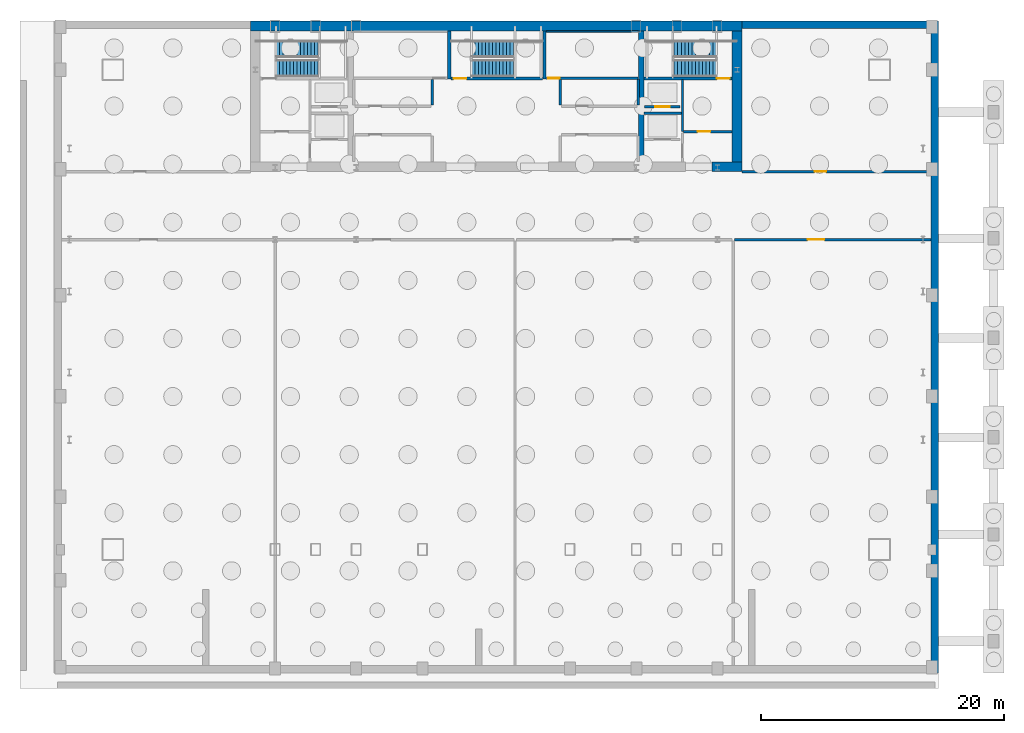
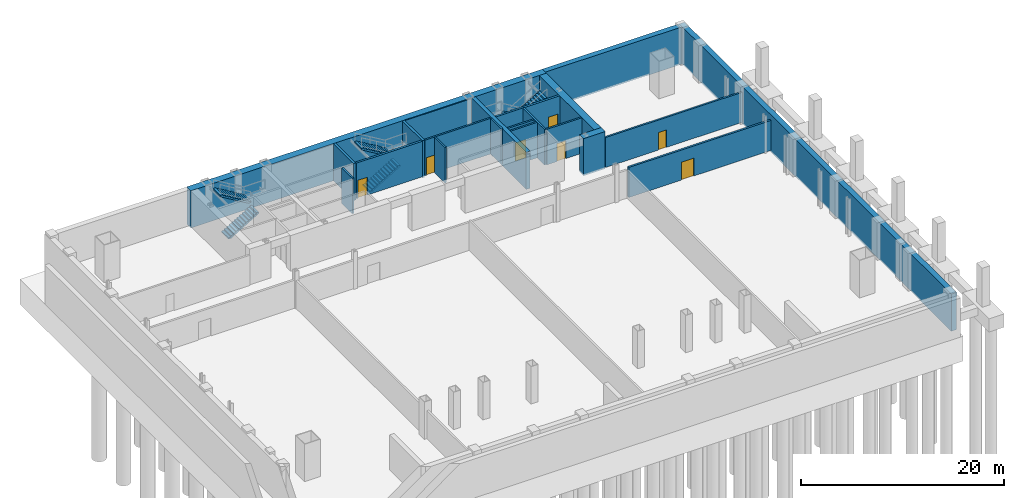
# One storey, part 9 of 11: 21 walls, 7 doors, 6 stair flights, 7 openings, 3 elements without a shape of their own.
"""IFC4 building model written with IfcOpenShell, lengths in metres."""

from ifc_helpers import new_model, si_unit, direction, frame, frame_2d, origin, place, context, subcontext, project, spatial, polyline, rectangle, outline, extrude, material, layer, layer_set, type_object, element, fill, aggregate, save


model = new_model("IFC4")

# Units and contexts
model_context = context("Model", 3, precision=1e-05, world=origin(), true_north=direction((0.0, 1.0)))
body_context = subcontext(model_context, "Body", "Model", "MODEL_VIEW")
ifc_project = project(units=[si_unit("LENGTHUNIT", "METRE"), si_unit("AREAUNIT", "SQUARE_METRE"), si_unit("VOLUMEUNIT", "CUBIC_METRE"), si_unit("PLANEANGLEUNIT", "RADIAN"), si_unit("MASSUNIT", "GRAM", prefix="KILO")], contexts=[model_context])

# Site, building, storey
site_placement = place(None, origin())
site = spatial("IfcSite", under=ifc_project, at=site_placement, CompositionType="ELEMENT")
building_placement = place(site_placement, origin())
building = spatial("IfcBuilding", under=site, at=building_placement, Name="Khoronbel Lancet Exchange", CompositionType="ELEMENT")
storey_placement = place(building_placement, frame((0.0, 0.0, -9.0)))
storey = spatial("IfcBuildingStorey", under=building, at=storey_placement, Name="B2", CompositionType="ELEMENT", Elevation=-9.0)

# Walls
ifc_material_1 = material(Name="Concrete C80/95", Category="concrete")
ifc_layer_1 = layer(ifc_material_1, 0.800048828125, Name="Concrete C80/95")
ifc_layer_set_1 = layer_set([ifc_layer_1], Name="Concrete C80/95")
wall_type_1 = type_object("IfcWallType", Name="WL-CW1", PredefinedType="SHEAR", material=ifc_layer_set_1)
wall_1_placement = place(storey_placement, frame((16.199951171875, 53.300048828125, -0.199951171875), z_axis=(0.0, 0.0, 1.0), x_axis=(1.0, 0.0, 0.0)))
element("IfcWall", 1, at=wall_1_placement, inside=storey, type_object=wall_type_1, Name="Level B2 rear core north shear wall", PredefinedType="SHEAR", context=body_context, shape_type="SweptSolid", body=[
    extrude(rectangle(XDim=40.5, YDim=0.800048828125, at=frame_2d((20.25, 0.0))), origin(), (0.0, 0.0, 1.0), 4.47998046875),
])
wall_2_placement = place(storey_placement, frame((56.300048828125, 52.89990234375, -0.199951171875), z_axis=(0.0, 0.0, 1.0), x_axis=(0.0, -1.0, 0.0)))
element("IfcWall", 2, at=wall_2_placement, inside=storey, type_object=wall_type_1, Name="Level B2 rear core east shear wall", PredefinedType="SHEAR", context=body_context, shape_type="SweptSolid", body=[
    extrude(rectangle(XDim=10.7998046875, YDim=0.800048828125, at=frame_2d((5.39990234375, 0.0))), origin(), (0.0, 0.0, 1.0), 4.47998046875),
])
wall_3_placement = place(storey_placement, frame((56.699951171875, 41.699951171875, -0.199951171875), z_axis=(0.0, 0.0, 1.0), x_axis=(-1.0, 0.0, 0.0)))
element("IfcWall", 3, at=wall_3_placement, inside=storey, type_object=wall_type_1, Name="Level B2 rear core south shear wall pier P5", PredefinedType="SHEAR", context=body_context, shape_type="SweptSolid", body=[
    extrude(rectangle(XDim=2.449951171875, YDim=0.800048828125, at=frame_2d((1.22509765625, 0.0))), origin(), (0.0, 0.0, 1.0), 4.47998046875),
])
ifc_material_2 = material(Name="Fire-Rated Metal-Stud & Mineral-Wool Gypsum Partition 120 mm", Category="gypsum")
ifc_layer_2 = layer(ifc_material_2, 0.1201171875, Name="Fire-Rated Metal-Stud & Mineral-Wool Gypsum Partition 120 mm")
ifc_layer_set_2 = layer_set([ifc_layer_2], Name="Fire-Rated Metal-Stud & Mineral-Wool Gypsum Partition 120 mm")
wall_type_2 = type_object("IfcWallType", Name="WL-PRT120F", PredefinedType="PARTITIONING", material=ifc_layer_set_2)
wall_4_placement = place(storey_placement, frame((40.580078125, 52.860107421875, 0.0), z_axis=(0.0, 0.0, 1.0), x_axis=(1.0, 0.0, 0.0)))
element("IfcWall", 4, at=wall_4_placement, inside=storey, type_object=wall_type_2, Name="Level B2 interior partition CW-SUP-NE-N", PredefinedType="PARTITIONING", context=body_context, shape_type="SweptSolid", body=[
    extrude(rectangle(XDim=7.559814453125, YDim=0.1201171875, at=frame_2d((3.77978515625, 0.0))), origin(), (0.0, 0.0, 1.0), 4.280029296875),
])

# Wall, opening, door
ifc_material_3 = material(Name="Autoclaved Aerated Concrete Blockwork 200 mm", Category="masonry")
ifc_layer_3 = layer(ifc_material_3, 0.199951171875, Name="Autoclaved Aerated Concrete Blockwork 200 mm")
ifc_layer_set_3 = layer_set([ifc_layer_3], Name="Autoclaved Aerated Concrete Blockwork 200 mm")
wall_type_3 = type_object("IfcWallType", Name="WL-PRT200", PredefinedType="PARTITIONING", material=ifc_layer_set_3)
wall_5_placement = place(storey_placement, frame((51.610107421875, 46.64990234375, 0.0), z_axis=(0.0, 0.0, 1.0), x_axis=(-1.0, 0.0, 0.0)))
wall_5 = element("IfcWall", 5, at=wall_5_placement, inside=storey, type_object=wall_type_3, Name="Level B2 elevator hoistway landing front wall FFLE", PredefinedType="PARTITIONING", context=body_context, shape_type="SweptSolid", body=[
    extrude(rectangle(XDim=2.920166015625, YDim=0.199951171875, at=frame_2d((1.4599609375, 0.0))), origin(), (0.0, 0.0, 1.0), 4.280029296875),
])
opening_1_placement = place(wall_5_placement, frame((0.860107421875, 0.0, 0.0)))
opening_1 = element("IfcOpeningElement", 6, at=opening_1_placement, cuts=wall_5, Name="Opening LD-FFL2", PredefinedType="OPENING", context=body_context, shape_type="SweptSolid", body=[
    extrude(rectangle(XDim=1.199951171875, YDim=2.179931640625, at=frame_2d((0.60009765625, 1.08984375))), frame((0.0, 0.10986328125, 0.0), z_axis=(0.0, -1.0, 0.0), x_axis=(1.0, 0.0, 0.0)), (0.0, 0.0, 1.0), 0.219970703125),
])
ifc_material_4 = material(Name="Fire-Rated Stainless Bi-Parting Firefighting Lift Door", Category="steel")
door_type_1 = type_object("IfcDoorType", Name="DR-LD-FFL", OperationType="NOTDEFINED", PredefinedType="DOOR", material=ifc_material_4)
door_1_placement = place(opening_1_placement, origin())
door_1 = element("IfcDoor", 7, at=door_1_placement, inside=storey, type_object=door_type_1, Name="Elevator landing sliding door LD-FFL2 B2", OperationType="SLIDING_TO_LEFT", OverallHeight=2.179931640625, OverallWidth=1.199951171875, PredefinedType="DOOR", context=body_context, shape_type="SweptSolid", body=[
    extrude(rectangle(XDim=1.199951171875, YDim=2.179931640625, at=frame_2d((0.60009765625, 1.08984375))), frame((0.0, 0.02490234375, 0.0), z_axis=(0.0, -1.0, 0.0), x_axis=(1.0, 0.0, 0.0)), (0.0, 0.0, 1.0), 0.050048828125),
])
fill(opening_1, door_1)

# Wall
wall_6_placement = place(storey_placement, frame((51.800048828125, 44.60009765625, 0.0), z_axis=(0.0, 0.0, 1.0), x_axis=(0.0, 1.0, 0.0)))
element("IfcWall", 8, at=wall_6_placement, inside=storey, type_object=wall_type_3, Name="Level B2 interior partition CW-FFLE-W", PredefinedType="PARTITIONING", context=body_context, shape_type="SweptSolid", body=[
    extrude(rectangle(XDim=4.2998046875, YDim=0.199951171875, at=frame_2d((2.14990234375, 0.0))), origin(), (0.0, 0.0, 1.0), 4.280029296875),
])

# Wall, opening, door
wall_7_placement = place(storey_placement, frame((51.89990234375, 44.60009765625, 0.0), z_axis=(0.0, 0.0, 1.0), x_axis=(1.0, 0.0, 0.0)))
wall_7 = element("IfcWall", 9, at=wall_7_placement, inside=storey, type_object=wall_type_3, Name="Level B2 interior partition CW-FFLE-S", PredefinedType="PARTITIONING", context=body_context, shape_type="SweptSolid", body=[
    extrude(rectangle(XDim=4.0, YDim=0.199951171875, at=frame_2d((2.0, 0.0))), origin(), (0.0, 0.0, 1.0), 4.280029296875),
])
opening_2_placement = place(wall_7_placement, frame((1.14990234375, 0.0, 0.0)))
opening_2 = element("IfcOpeningElement", 10, at=opening_2_placement, cuts=wall_7, Name="Opening FD1", PredefinedType="OPENING", context=body_context, shape_type="SweptSolid", body=[
    extrude(rectangle(XDim=1.050048828125, YDim=2.14990234375, at=frame_2d((0.52490234375, 1.074951171875))), frame((0.0, 0.10986328125, 0.0), z_axis=(0.0, -1.0, 0.0), x_axis=(1.0, 0.0, 0.0)), (0.0, 0.0, 1.0), 0.219970703125),
])
ifc_material_5 = material(Name="Fire-Rated Painted Steel Door Assembly", Category="steel")
door_type_2 = type_object("IfcDoorType", Name="DR-FD1", OperationType="NOTDEFINED", PredefinedType="DOOR", material=ifc_material_5)
door_2_placement = place(opening_2_placement, origin())
door_2 = element("IfcDoor", 11, at=door_2_placement, inside=storey, type_object=door_type_2, Name="East firefighting lobby FD90S door B2-1", OperationType="SINGLE_SWING_LEFT", OverallHeight=2.14990234375, OverallWidth=1.050048828125, PredefinedType="DOOR", context=body_context, shape_type="SweptSolid", body=[
    extrude(rectangle(XDim=1.050048828125, YDim=2.14990234375, at=frame_2d((0.52490234375, 1.074951171875))), frame((0.0, 0.02490234375, 0.0), z_axis=(0.0, -1.0, 0.0), x_axis=(1.0, 0.0, 0.0)), (0.0, 0.0, 1.0), 0.050048828125),
])
fill(opening_2, door_2)

# Walls
wall_8_placement = place(storey_placement, frame((48.6298828125, 46.1201171875, 0.0), z_axis=(0.0, 0.0, 1.0), x_axis=(1.0, 0.0, 0.0)))
element("IfcWall", 12, at=wall_8_placement, inside=storey, type_object=wall_type_3, Name="Level B2 interior partition CW-FFL2-S", PredefinedType="PARTITIONING", context=body_context, shape_type="SweptSolid", body=[
    extrude(rectangle(XDim=3.070068359375, YDim=0.199951171875, at=frame_2d((1.53515625, 0.0))), origin(), (0.0, 0.0, 1.0), 4.280029296875),
])
for number, where, z_axis, x_axis, name in (
    (13, (31.179931640625, 46.804931640625, 0.0), (0.0, 0.0, 1.0), (0.0, 1.0, 0.0), "Level B2 interior partition CW-PL-BSE"),
    (14, (41.719970703125, 46.804931640625, 0.0), (0.0, 0.0, 1.0), (0.0, 1.0, 0.0), "Level B2 interior partition CW-PH-BSW"),
    (15, (48.139892578125, 46.804931640625, 0.0), (0.0, 0.0, 1.0), (0.0, 1.0, 0.0), "Level B2 interior partition CW-PH-BSE"),
):
    element("IfcWall", number, at=place(storey_placement, frame(where, z_axis=z_axis, x_axis=x_axis)), inside=storey, type_object=wall_type_3, Name=name, PredefinedType="PARTITIONING", context=body_context, shape_type="SweptSolid", body=[
        extrude(rectangle(XDim=2.090087890625, YDim=0.199951171875, at=frame_2d((1.044921875, 0.0))), origin(), (0.0, 0.0, 1.0), 4.280029296875),
    ])

# Wall, opening, door
wall_9_placement = place(storey_placement, frame((40.580078125, 49.0, 0.0), z_axis=(0.0, 0.0, 1.0), x_axis=(1.0, 0.0, 0.0)))
wall_9 = element("IfcWall", 16, at=wall_9_placement, inside=storey, type_object=wall_type_3, Name="Level B2 interior partition CW-SUP-NE-S", PredefinedType="PARTITIONING", context=body_context, shape_type="SweptSolid", body=[
    extrude(rectangle(XDim=7.559814453125, YDim=0.199951171875, at=frame_2d((3.77978515625, 0.0))), origin(), (0.0, 0.0, 1.0), 4.280029296875),
])
opening_3_placement = place(wall_9_placement, frame((0.159912109375, 0.0, 0.0)))
opening_3 = element("IfcOpeningElement", 17, at=opening_3_placement, cuts=wall_9, Name="Opening FD3", PredefinedType="OPENING", context=body_context, shape_type="SweptSolid", body=[
    extrude(rectangle(XDim=0.949951171875, YDim=2.10009765625, at=frame_2d((0.47509765625, 1.050048828125))), frame((0.0, 0.10986328125, 0.0), z_axis=(0.0, -1.0, 0.0), x_axis=(1.0, 0.0, 0.0)), (0.0, 0.0, 1.0), 0.219970703125),
])
ifc_material_6 = material(Name="Fire-Rated Steel Plant & Riser Door Assembly", Category="steel")
door_type_3 = type_object("IfcDoorType", Name="DR-FD3", OperationType="NOTDEFINED", PredefinedType="DOOR", material=ifc_material_6)
door_3_placement = place(opening_3_placement, origin())
door_3 = element("IfcDoor", 18, at=door_3_placement, inside=storey, type_object=door_type_3, Name="Core NE support room door B2-1", OperationType="SINGLE_SWING_RIGHT", OverallHeight=2.10009765625, OverallWidth=0.949951171875, PredefinedType="DOOR", context=body_context, shape_type="SweptSolid", body=[
    extrude(rectangle(XDim=0.949951171875, YDim=2.10009765625, at=frame_2d((0.47509765625, 1.050048828125))), frame((0.0, 0.02490234375, 0.0), z_axis=(0.0, -1.0, 0.0), x_axis=(1.0, 0.0, 0.0)), (0.0, 0.0, 1.0), 0.050048828125),
])
fill(opening_3, door_3)

wall_10_placement = place(storey_placement, frame((56.699951171875, 41.300048828125, 0.0), z_axis=(0.0, 0.0, 1.0), x_axis=(1.0, 0.0, 0.0)))
wall_10 = element("IfcWall", 19, at=wall_10_placement, inside=storey, type_object=wall_type_3, Name="Level B2 interior partition PW-B2-N2", PredefinedType="PARTITIONING", context=body_context, shape_type="SweptSolid", body=[
    extrude(rectangle(XDim=15.60009765625, YDim=0.199951171875, at=frame_2d((7.800048828125, 0.0))), origin(), (0.0, 0.0, 1.0), 3.6201171875),
])
opening_4_placement = place(wall_10_placement, frame((6.0, 0.0, 0.0)))
opening_4 = element("IfcOpeningElement", 20, at=opening_4_placement, cuts=wall_10, Name="Opening FD3", PredefinedType="OPENING", context=body_context, shape_type="SweptSolid", body=[
    extrude(rectangle(XDim=0.949951171875, YDim=2.10009765625, at=frame_2d((0.47509765625, 1.050048828125))), frame((0.0, 0.10986328125, 0.0), z_axis=(0.0, -1.0, 0.0), x_axis=(1.0, 0.0, 0.0)), (0.0, 0.0, 1.0), 0.219970703125),
])
door_4_placement = place(opening_4_placement, origin())
door_4 = element("IfcDoor", 21, at=door_4_placement, inside=storey, type_object=door_type_3, Name="NE telecoms vault plant door B2-1", OperationType="SINGLE_SWING_RIGHT", OverallHeight=2.10009765625, OverallWidth=0.949951171875, PredefinedType="DOOR", context=body_context, shape_type="SweptSolid", body=[
    extrude(rectangle(XDim=0.949951171875, YDim=2.10009765625, at=frame_2d((0.47509765625, 1.050048828125))), frame((0.0, 0.02490234375, 0.0), z_axis=(0.0, -1.0, 0.0), x_axis=(1.0, 0.0, 0.0)), (0.0, 0.0, 1.0), 0.050048828125),
])
fill(opening_4, door_4)

ifc_material_7 = material(Name="Autoclaved Aerated Concrete Blockwork 220 mm", Category="masonry")
ifc_layer_4 = layer(ifc_material_7, 0.219970703125, Name="Autoclaved Aerated Concrete Blockwork 220 mm")
ifc_layer_set_4 = layer_set([ifc_layer_4], Name="Autoclaved Aerated Concrete Blockwork 220 mm")
wall_type_4 = type_object("IfcWallType", Name="WL-PRT220", PredefinedType="PARTITIONING", material=ifc_layer_set_4)
wall_11_placement = place(storey_placement, frame((56.10498046875, 35.699951171875, 0.0), z_axis=(0.0, 0.0, 1.0), x_axis=(1.0, 0.0, 0.0)))
wall_11 = element("IfcWall", 22, at=wall_11_placement, inside=storey, type_object=wall_type_4, Name="Level B2 interior partition PW-B2-S4", PredefinedType="PARTITIONING", context=body_context, shape_type="SweptSolid", body=[
    extrude(rectangle(XDim=16.195068359375, YDim=0.219970703125, at=frame_2d((8.09765625, 0.0))), origin(), (0.0, 0.0, 1.0), 3.6201171875),
])
opening_5_placement = place(wall_11_placement, frame((6.0, 0.0, 0.0)))
opening_5 = element("IfcOpeningElement", 23, at=opening_5_placement, cuts=wall_11, Name="Opening D7", PredefinedType="OPENING", context=body_context, shape_type="SweptSolid", body=[
    extrude(rectangle(XDim=1.39990234375, YDim=2.14990234375, at=frame_2d((0.699951171875, 1.074951171875))), frame((0.0, 0.1201171875, 0.0), z_axis=(0.0, -1.0, 0.0), x_axis=(1.0, 0.0, 0.0)), (0.0, 0.0, 1.0), 0.239990234375),
])
ifc_material_8 = material(Name="Fire-Rated Heavy Plant Double Door Assembly", Category="steel")
door_type_4 = type_object("IfcDoorType", Name="DR-D7", OperationType="NOTDEFINED", PredefinedType="DOOR", material=ifc_material_8)
door_5_placement = place(opening_5_placement, origin())
door_5 = element("IfcDoor", 24, at=door_5_placement, inside=storey, type_object=door_type_4, Name="Domestic & fire water tank plant door B2-1", OperationType="DOUBLE_DOOR_SINGLE_SWING", OverallHeight=2.14990234375, OverallWidth=1.39990234375, PredefinedType="DOOR", context=body_context, shape_type="SweptSolid", body=[
    extrude(rectangle(XDim=1.39990234375, YDim=2.14990234375, at=frame_2d((0.699951171875, 1.074951171875))), frame((0.0, 0.02490234375, 0.0), z_axis=(0.0, -1.0, 0.0), x_axis=(1.0, 0.0, 0.0)), (0.0, 0.0, 1.0), 0.050048828125),
])
fill(opening_5, door_5)

# Walls
ifc_material_9 = material(Name="Concrete C60/75", Category="concrete")
ifc_layer_5 = layer(ifc_material_9, 0.60009765625, Name="Concrete C60/75")
ifc_layer_set_5 = layer_set([ifc_layer_5], Name="Concrete C60/75")
wall_type_5 = type_object("IfcWallType", Name="WL-RET600", PredefinedType="SOLIDWALL", material=ifc_layer_set_5)
wall_12_placement = place(storey_placement, frame((56.699951171875, 53.39990234375, -0.199951171875), z_axis=(0.0, 0.0, 1.0), x_axis=(1.0, 0.0, 0.0)))
element("IfcWall", 25, at=wall_12_placement, inside=storey, type_object=wall_type_5, Name="Basement B2 reinforced concrete retaining wall NE", PredefinedType="SOLIDWALL", context=body_context, shape_type="SweptSolid", body=[
    extrude(rectangle(XDim=15.60009765625, YDim=0.60009765625, at=frame_2d((7.800048828125, 0.0))), origin(), (0.0, 0.0, 1.0), 4.47998046875),
])
wall_13_placement = place(storey_placement, frame((72.60009765625, 53.699951171875, -0.199951171875), z_axis=(0.0, 0.0, 1.0), x_axis=(0.0, -1.0, 0.0)))
element("IfcWall", 26, at=wall_13_placement, inside=storey, type_object=wall_type_5, Name="Basement B2 reinforced concrete retaining wall E", PredefinedType="SOLIDWALL", context=body_context, shape_type="SweptSolid", body=[
    extrude(rectangle(XDim=53.699951171875, YDim=0.60009765625, at=frame_2d((26.85009765625, 0.0))), origin(), (0.0, 0.0, 1.0), 4.47998046875),
])
ifc_layer_6 = layer(ifc_material_1, 0.449951171875, Name="Concrete C80/95")
ifc_layer_set_6 = layer_set([ifc_layer_6], Name="Concrete C80/95")
wall_type_6 = type_object("IfcWallType", Name="WL-SW1", PredefinedType="SHEAR", material=ifc_layer_set_6)
wall_14_placement = place(storey_placement, frame((48.39990234375, 42.10009765625, -0.199951171875), z_axis=(0.0, 0.0, 1.0), x_axis=(0.0, 1.0, 0.0)))
element("IfcWall", 27, at=wall_14_placement, inside=storey, type_object=wall_type_6, Name="Level B2 rear core internal spine shear wall IE", PredefinedType="SHEAR", context=body_context, shape_type="SweptSolid", body=[
    extrude(rectangle(XDim=10.7998046875, YDim=0.449951171875, at=frame_2d((5.39990234375, 0.0))), origin(), (0.0, 0.0, 1.0), 4.47998046875),
])
ifc_layer_7 = layer(ifc_material_9, 0.260009765625, Name="Concrete C60/75")
ifc_layer_set_7 = layer_set([ifc_layer_7], Name="Concrete C60/75")
wall_type_7 = type_object("IfcWallType", Name="WL-SW3", PredefinedType="SHEAR", material=ifc_layer_set_7)
for number, where, z_axis, x_axis, name in (
    (28, (32.580078125, 48.949951171875, -0.199951171875), (0.0, 0.0, 1.0), (0.0, 1.0, 0.0), "Level B2 central stairwell structural shear wall ST3W"),
    (29, (40.419921875, 48.949951171875, -0.199951171875), (0.0, 0.0, 1.0), (0.0, 1.0, 0.0), "Level B2 central stairwell structural shear wall ST3E"),
):
    element("IfcWall", number, at=place(storey_placement, frame(where, z_axis=z_axis, x_axis=x_axis)), inside=storey, type_object=wall_type_7, Name=name, PredefinedType="SHEAR", context=body_context, shape_type="SweptSolid", body=[
        extrude(rectangle(XDim=3.949951171875, YDim=0.260009765625, at=frame_2d((1.97509765625, 0.0))), origin(), (0.0, 0.0, 1.0), 4.47998046875),
    ])

# Wall, opening, door
wall_15_placement = place(storey_placement, frame((48.6298828125, 48.97998046875, 0.0), z_axis=(0.0, 0.0, 1.0), x_axis=(1.0, 0.0, 0.0)))
wall_15 = element("IfcWall", 30, at=wall_15_placement, inside=storey, type_object=wall_type_7, Name="Level B2 east stairwell structural south wall", PredefinedType="SHEAR", context=body_context, shape_type="SweptSolid", body=[
    extrude(rectangle(XDim=7.27001953125, YDim=0.239990234375, at=frame_2d((3.635009765625, 0.0))), origin(), (0.0, 0.0, 1.0), 4.280029296875),
])
opening_6_placement = place(wall_15_placement, frame((6.0, 0.0, 0.0)))
opening_6 = element("IfcOpeningElement", 31, at=opening_6_placement, cuts=wall_15, Name="Opening SD1", PredefinedType="OPENING", context=body_context, shape_type="SweptSolid", body=[
    extrude(rectangle(XDim=1.050048828125, YDim=2.14990234375, at=frame_2d((0.52490234375, 1.074951171875))), frame((0.0, 0.1298828125, 0.0), z_axis=(0.0, -1.0, 0.0), x_axis=(1.0, 0.0, 0.0)), (0.0, 0.0, 1.0), 0.260009765625),
])
ifc_material_10 = material(Name="Fire-Rated Steel Stairwell Door Assembly", Category="steel")
door_type_5 = type_object("IfcDoorType", Name="DR-SD1", OperationType="NOTDEFINED", PredefinedType="DOOR", material=ifc_material_10)
door_6_placement = place(opening_6_placement, origin())
door_6 = element("IfcDoor", 32, at=door_6_placement, inside=storey, type_object=door_type_5, Name="Protected exit stair ST2 door B2", OperationType="SINGLE_SWING_RIGHT", OverallHeight=2.14990234375, OverallWidth=1.050048828125, PredefinedType="DOOR", context=body_context, shape_type="SweptSolid", body=[
    extrude(rectangle(XDim=1.050048828125, YDim=2.14990234375, at=frame_2d((0.52490234375, 1.074951171875))), frame((0.0, 0.02490234375, 0.0), z_axis=(0.0, -1.0, 0.0), x_axis=(1.0, 0.0, 0.0)), (0.0, 0.0, 1.0), 0.050048828125),
])
fill(opening_6, door_6)

wall_16_placement = place(storey_placement, frame((32.719970703125, 48.97998046875, 0.0), z_axis=(0.0, 0.0, 1.0), x_axis=(1.0, 0.0, 0.0)))
wall_16 = element("IfcWall", 33, at=wall_16_placement, inside=storey, type_object=wall_type_7, Name="Level B2 central stairwell structural south wall", PredefinedType="SHEAR", context=body_context, shape_type="SweptSolid", body=[
    extrude(rectangle(XDim=7.56005859375, YDim=0.239990234375, at=frame_2d((3.780029296875, 0.0))), origin(), (0.0, 0.0, 1.0), 4.280029296875),
])
opening_7_placement = place(wall_16_placement, frame((0.219970703125, 0.0, 0.0)))
opening_7 = element("IfcOpeningElement", 34, at=opening_7_placement, cuts=wall_16, Name="Opening SD1", PredefinedType="OPENING", context=body_context, shape_type="SweptSolid", body=[
    extrude(rectangle(XDim=1.050048828125, YDim=2.14990234375, at=frame_2d((0.52490234375, 1.074951171875))), frame((0.0, 0.1298828125, 0.0), z_axis=(0.0, -1.0, 0.0), x_axis=(1.0, 0.0, 0.0)), (0.0, 0.0, 1.0), 0.260009765625),
])
door_7_placement = place(opening_7_placement, origin())
door_7 = element("IfcDoor", 35, at=door_7_placement, inside=storey, type_object=door_type_5, Name="Protected exit stair ST3 door B2", OperationType="SINGLE_SWING_LEFT", OverallHeight=2.14990234375, OverallWidth=1.050048828125, PredefinedType="DOOR", context=body_context, shape_type="SweptSolid", body=[
    extrude(rectangle(XDim=1.050048828125, YDim=2.14990234375, at=frame_2d((0.52490234375, 1.074951171875))), frame((0.0, 0.02490234375, 0.0), z_axis=(0.0, -1.0, 0.0), x_axis=(1.0, 0.0, 0.0)), (0.0, 0.0, 1.0), 0.050048828125),
])
fill(opening_7, door_7)

# Stair, stair flights
ifc_material_11 = material(Name="Concrete C40/50", Category="concrete")
stair_type = type_object("IfcStairType", Name="STR-CORE150", PredefinedType="HALF_TURN_STAIR", material=ifc_material_11)
stair_1_placement = place(storey_placement, origin())
stair_1 = element("IfcStair", 36, at=stair_1_placement, inside=storey, type_object=stair_type, Name="B2 Protected Exit Stair ST1", PredefinedType="HALF_TURN_STAIR")
stair_flight_type = type_object("IfcStairFlightType", Name="STF-150", PredefinedType="STRAIGHT", material=ifc_material_11)
stair_flight_1_placement = place(storey_placement, frame((18.300048828125, 49.81005859375, 0.0), z_axis=(0.0, 0.0, 1.0), x_axis=(1.0, 0.0, 0.0)))
stair_flight_1 = element("IfcStairFlight", 37, at=stair_flight_1_placement, type_object=stair_flight_type, Name="ST1 flight 1", NumberOfRisers=13, NumberOfTreads=12, PredefinedType="STRAIGHT", RiserHeight=0.173076923, TreadLength=0.29, context=body_context, shape_type="SweptSolid", body=[
    extrude(outline(polyline([(0.0, 0.0), (0.0, 0.173095703125), (0.2900390625, 0.173095703125), (0.2900390625, 0.34619140625), (0.580078125, 0.34619140625), (0.580078125, 0.519287109375), (0.8701171875, 0.519287109375), (0.8701171875, 0.6923828125), (1.159912109375, 0.6923828125), (1.159912109375, 0.865478515625), (1.449951171875, 0.865478515625), (1.449951171875, 1.03857421875), (1.739990234375, 1.03857421875), (1.739990234375, 1.21142578125), (2.030029296875, 1.21142578125), (2.030029296875, 1.384521484375), (2.320068359375, 1.384521484375), (2.320068359375, 1.5576171875), (2.610107421875, 1.5576171875), (2.610107421875, 1.730712890625), (2.89990234375, 1.730712890625), (2.89990234375, 1.90380859375), (3.18994140625, 1.90380859375), (3.18994140625, 2.076904296875), (3.47998046875, 2.076904296875), (3.47998046875, 2.25), (3.47998046875, 1.90234375), (0.29248046875, 0.0), (0.0, 0.0)])), frame((0.0, 0.68994140625, 0.0), z_axis=(0.0, -1.0, 0.0), x_axis=(1.0, 0.0, 0.0)), (0.0, 0.0, 1.0), 1.3798828125),
])
stair_flight_2_placement = place(storey_placement, frame((21.780029296875, 51.409912109375, 2.25), z_axis=(0.0, 0.0, 1.0), x_axis=(-1.0, 0.0, 0.0)))
stair_flight_2 = element("IfcStairFlight", 38, at=stair_flight_2_placement, type_object=stair_flight_type, Name="ST1 flight 2", NumberOfRisers=13, NumberOfTreads=12, PredefinedType="STRAIGHT", RiserHeight=0.173076923, TreadLength=0.29, context=body_context, shape_type="SweptSolid", body=[
    extrude(outline(polyline([(0.0, 0.0), (0.0, 0.173095703125), (0.2900390625, 0.173095703125), (0.2900390625, 0.34619140625), (0.580078125, 0.34619140625), (0.580078125, 0.519287109375), (0.8701171875, 0.519287109375), (0.8701171875, 0.6923828125), (1.159912109375, 0.6923828125), (1.159912109375, 0.865478515625), (1.449951171875, 0.865478515625), (1.449951171875, 1.03857421875), (1.739990234375, 1.03857421875), (1.739990234375, 1.21142578125), (2.030029296875, 1.21142578125), (2.030029296875, 1.384521484375), (2.320068359375, 1.384521484375), (2.320068359375, 1.5576171875), (2.610107421875, 1.5576171875), (2.610107421875, 1.730712890625), (2.89990234375, 1.730712890625), (2.89990234375, 1.90380859375), (3.18994140625, 1.90380859375), (3.18994140625, 2.076904296875), (3.47998046875, 2.076904296875), (3.47998046875, 2.25), (3.47998046875, 1.90234375), (0.29248046875, 0.0), (0.0, 0.0)])), frame((0.0, 0.68994140625, 0.0), z_axis=(0.0, -1.0, 0.0), x_axis=(1.0, 0.0, 0.0)), (0.0, 0.0, 1.0), 1.3798828125),
])
aggregate(stair_1, [stair_flight_1, stair_flight_2])

stair_2_placement = place(storey_placement, origin())
stair_2 = element("IfcStair", 39, at=stair_2_placement, inside=storey, type_object=stair_type, Name="B2 Protected Exit Stair ST2", PredefinedType="HALF_TURN_STAIR")
stair_flight_3_placement = place(storey_placement, frame((54.60009765625, 51.409912109375, 0.0), z_axis=(0.0, 0.0, 1.0), x_axis=(-1.0, 0.0, 0.0)))
stair_flight_3 = element("IfcStairFlight", 40, at=stair_flight_3_placement, type_object=stair_flight_type, Name="ST2 flight 1", NumberOfRisers=13, NumberOfTreads=12, PredefinedType="STRAIGHT", RiserHeight=0.173076923, TreadLength=0.29, context=body_context, shape_type="SweptSolid", body=[
    extrude(outline(polyline([(0.0, 0.0), (0.0, 0.173095703125), (0.2900390625, 0.173095703125), (0.2900390625, 0.34619140625), (0.580078125, 0.34619140625), (0.580078125, 0.519287109375), (0.8701171875, 0.519287109375), (0.8701171875, 0.6923828125), (1.159912109375, 0.6923828125), (1.159912109375, 0.865478515625), (1.449951171875, 0.865478515625), (1.449951171875, 1.03857421875), (1.739990234375, 1.03857421875), (1.739990234375, 1.21142578125), (2.030029296875, 1.21142578125), (2.030029296875, 1.384521484375), (2.320068359375, 1.384521484375), (2.320068359375, 1.5576171875), (2.610107421875, 1.5576171875), (2.610107421875, 1.730712890625), (2.89990234375, 1.730712890625), (2.89990234375, 1.90380859375), (3.18994140625, 1.90380859375), (3.18994140625, 2.076904296875), (3.47998046875, 2.076904296875), (3.47998046875, 2.25), (3.47998046875, 1.90234375), (0.29248046875, 0.0), (0.0, 0.0)])), frame((0.0, 0.68994140625, 0.0), z_axis=(0.0, -1.0, 0.0), x_axis=(1.0, 0.0, 0.0)), (0.0, 0.0, 1.0), 1.3798828125),
])
stair_flight_4_placement = place(storey_placement, frame((51.1201171875, 49.81005859375, 2.25), z_axis=(0.0, 0.0, 1.0), x_axis=(1.0, 0.0, 0.0)))
stair_flight_4 = element("IfcStairFlight", 41, at=stair_flight_4_placement, type_object=stair_flight_type, Name="ST2 flight 2", NumberOfRisers=13, NumberOfTreads=12, PredefinedType="STRAIGHT", RiserHeight=0.173076923, TreadLength=0.29, context=body_context, shape_type="SweptSolid", body=[
    extrude(outline(polyline([(0.0, 0.0), (0.0, 0.173095703125), (0.2900390625, 0.173095703125), (0.2900390625, 0.34619140625), (0.580078125, 0.34619140625), (0.580078125, 0.519287109375), (0.8701171875, 0.519287109375), (0.8701171875, 0.6923828125), (1.159912109375, 0.6923828125), (1.159912109375, 0.865478515625), (1.449951171875, 0.865478515625), (1.449951171875, 1.03857421875), (1.739990234375, 1.03857421875), (1.739990234375, 1.21142578125), (2.030029296875, 1.21142578125), (2.030029296875, 1.384521484375), (2.320068359375, 1.384521484375), (2.320068359375, 1.5576171875), (2.610107421875, 1.5576171875), (2.610107421875, 1.730712890625), (2.89990234375, 1.730712890625), (2.89990234375, 1.90380859375), (3.18994140625, 1.90380859375), (3.18994140625, 2.076904296875), (3.47998046875, 2.076904296875), (3.47998046875, 2.25), (3.47998046875, 1.90234375), (0.29248046875, 0.0), (0.0, 0.0)])), frame((0.0, 0.68994140625, 0.0), z_axis=(0.0, -1.0, 0.0), x_axis=(1.0, 0.0, 0.0)), (0.0, 0.0, 1.0), 1.3798828125),
])
aggregate(stair_2, [stair_flight_3, stair_flight_4])

stair_3_placement = place(storey_placement, origin())
stair_3 = element("IfcStair", 42, at=stair_3_placement, inside=storey, type_object=stair_type, Name="B2 Protected Exit Stair ST3", PredefinedType="HALF_TURN_STAIR")
stair_flight_5_placement = place(storey_placement, frame((34.39990234375, 49.81005859375, 0.0), z_axis=(0.0, 0.0, 1.0), x_axis=(1.0, 0.0, 0.0)))
stair_flight_5 = element("IfcStairFlight", 43, at=stair_flight_5_placement, type_object=stair_flight_type, Name="ST3 flight 1", NumberOfRisers=13, NumberOfTreads=12, PredefinedType="STRAIGHT", RiserHeight=0.173076923, TreadLength=0.29, context=body_context, shape_type="SweptSolid", body=[
    extrude(outline(polyline([(0.0, 0.0), (0.0, 0.173095703125), (0.2900390625, 0.173095703125), (0.2900390625, 0.34619140625), (0.580078125, 0.34619140625), (0.580078125, 0.519287109375), (0.8701171875, 0.519287109375), (0.8701171875, 0.6923828125), (1.159912109375, 0.6923828125), (1.159912109375, 0.865478515625), (1.449951171875, 0.865478515625), (1.449951171875, 1.03857421875), (1.739990234375, 1.03857421875), (1.739990234375, 1.21142578125), (2.030029296875, 1.21142578125), (2.030029296875, 1.384521484375), (2.320068359375, 1.384521484375), (2.320068359375, 1.5576171875), (2.610107421875, 1.5576171875), (2.610107421875, 1.730712890625), (2.89990234375, 1.730712890625), (2.89990234375, 1.90380859375), (3.18994140625, 1.90380859375), (3.18994140625, 2.076904296875), (3.47998046875, 2.076904296875), (3.47998046875, 2.25), (3.47998046875, 1.90234375), (0.29248046875, 0.0), (0.0, 0.0)])), frame((0.0, 0.68994140625, 0.0), z_axis=(0.0, -1.0, 0.0), x_axis=(1.0, 0.0, 0.0)), (0.0, 0.0, 1.0), 1.3798828125),
])
stair_flight_6_placement = place(storey_placement, frame((37.8798828125, 51.409912109375, 2.25), z_axis=(0.0, 0.0, 1.0), x_axis=(-1.0, 0.0, 0.0)))
stair_flight_6 = element("IfcStairFlight", 44, at=stair_flight_6_placement, type_object=stair_flight_type, Name="ST3 flight 2", NumberOfRisers=13, NumberOfTreads=12, PredefinedType="STRAIGHT", RiserHeight=0.173076923, TreadLength=0.29, context=body_context, shape_type="SweptSolid", body=[
    extrude(outline(polyline([(0.0, 0.0), (0.0, 0.173095703125), (0.2900390625, 0.173095703125), (0.2900390625, 0.34619140625), (0.580078125, 0.34619140625), (0.580078125, 0.519287109375), (0.8701171875, 0.519287109375), (0.8701171875, 0.6923828125), (1.159912109375, 0.6923828125), (1.159912109375, 0.865478515625), (1.449951171875, 0.865478515625), (1.449951171875, 1.03857421875), (1.739990234375, 1.03857421875), (1.739990234375, 1.21142578125), (2.030029296875, 1.21142578125), (2.030029296875, 1.384521484375), (2.320068359375, 1.384521484375), (2.320068359375, 1.5576171875), (2.610107421875, 1.5576171875), (2.610107421875, 1.730712890625), (2.89990234375, 1.730712890625), (2.89990234375, 1.90380859375), (3.18994140625, 1.90380859375), (3.18994140625, 2.076904296875), (3.47998046875, 2.076904296875), (3.47998046875, 2.25), (3.47998046875, 1.90234375), (0.29248046875, 0.0), (0.0, 0.0)])), frame((0.0, 0.68994140625, 0.0), z_axis=(0.0, -1.0, 0.0), x_axis=(1.0, 0.0, 0.0)), (0.0, 0.0, 1.0), 1.3798828125),
])
aggregate(stair_3, [stair_flight_5, stair_flight_6])

save(model, "model.ifc")
